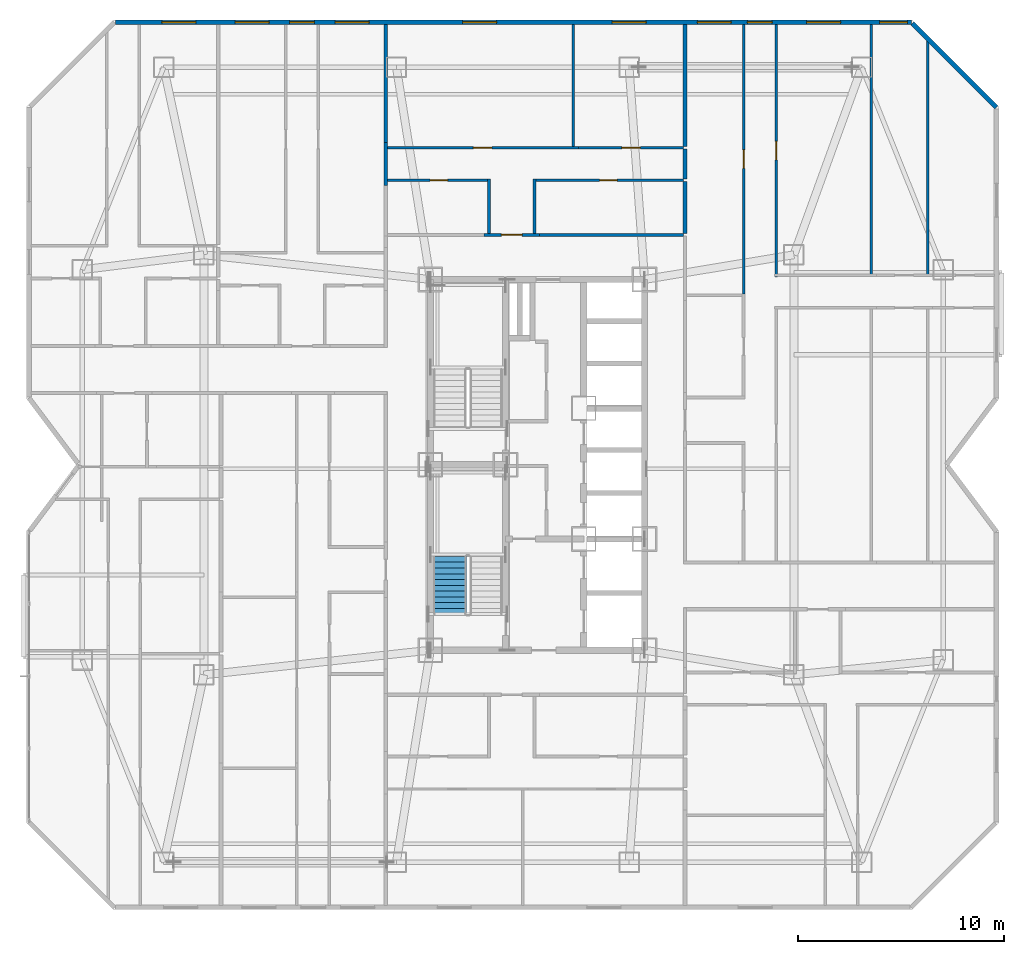
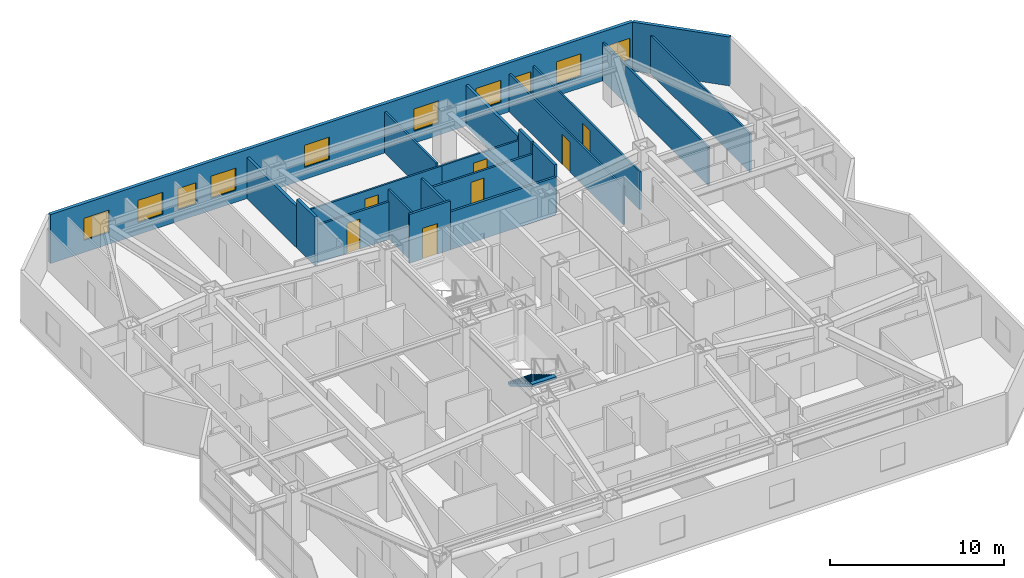
# One storey, part 16 of 18: 20 walls, 10 windows, 7 doors, 1 stair flight, 17 openings, 1 element without a shape of its own.
"""IFC4 building model written with IfcOpenShell, lengths in metres."""

from ifc_helpers import new_model, si_unit, direction, frame, frame_2d, origin, place, context, subcontext, project, spatial, polyline, rectangle, outline, extrude, material, layer, layer_set, type_object, element, fill, aggregate, save


model = new_model("IFC4")

# Units and contexts
model_context = context("Model", 3, precision=1e-05, world=origin(), true_north=direction((0.0, 1.0)))
body_context = subcontext(model_context, "Body", "Model", "MODEL_VIEW")
ifc_project = project(units=[si_unit("LENGTHUNIT", "METRE"), si_unit("AREAUNIT", "SQUARE_METRE"), si_unit("VOLUMEUNIT", "CUBIC_METRE"), si_unit("PLANEANGLEUNIT", "RADIAN"), si_unit("MASSUNIT", "GRAM", prefix="KILO")], contexts=[model_context])

# Site, building, storey
site_placement = place(None, origin())
site = spatial("IfcSite", under=ifc_project, at=site_placement, CompositionType="ELEMENT")
building_placement = place(site_placement, origin())
building = spatial("IfcBuilding", under=site, at=building_placement, Name="Khamvora Tower", CompositionType="ELEMENT")
storey_placement = place(building_placement, frame((0.0, 0.0, 109.199951171875)))
storey = spatial("IfcBuildingStorey", under=building, at=storey_placement, Name="L27", CompositionType="ELEMENT", Elevation=109.199951171875)

# Wall, opening, door
ifc_material_1 = material(Name="Fire-Rated Drywall and Steel Stud", Category="steel")
ifc_layer_1 = layer(ifc_material_1, 0.14990234375)
ifc_layer_set_1 = layer_set([ifc_layer_1], Name="Fire-Rated Drywall and Steel Stud")
wall_type_1 = type_object("IfcWallType", Name="WAL-CORR-150", PredefinedType="STANDARD", material=ifc_layer_set_1)
wall_1_placement = place(storey_placement, frame((31.60107421875, 39.1650390625, 0.0), z_axis=(0.0, 0.0, 1.0), x_axis=(1.0, 0.0, 0.0)))
wall_1 = element("IfcWall", 1, at=wall_1_placement, inside=storey, type_object=wall_type_1, Name="L27 interior partition wall 028", PredefinedType="STANDARD", context=body_context, shape_type="SweptSolid", body=[
    extrude(rectangle(XDim=2.697998046875, YDim=0.14990234375, at=frame_2d((1.34912109375, 0.0))), origin(), (0.0, 0.0, 1.0), 3.429931640625),
])
opening_1_placement = place(wall_1_placement, frame((0.84912109375, 0.0, 0.0)))
opening_1 = element("IfcOpeningElement", 2, at=opening_1_placement, cuts=wall_1, Name="Opening D-U1", PredefinedType="OPENING", context=body_context, shape_type="SweptSolid", body=[
    extrude(rectangle(XDim=1.0, YDim=2.14990234375, at=frame_2d((0.5, 1.074951171875))), frame((0.0, 0.0849609375, 0.0), z_axis=(0.0, -1.0, 0.0), x_axis=(1.0, 0.0, 0.0)), (0.0, 0.0, 1.0), 0.169921875),
])
ifc_material_2 = material(Name="Powder-Coated Steel and Hardwood Leaf", Category="steel")
door_type_1 = type_object("IfcDoorType", Name="DOR-UNIT-1000", OperationType="NOTDEFINED", PredefinedType="DOOR", material=ifc_material_2)
door_1_placement = place(opening_1_placement, origin())
door_1 = element("IfcDoor", 3, at=door_1_placement, inside=storey, type_object=door_type_1, Name="L27 interior door COR-27NAH", OperationType="SINGLE_SWING_RIGHT", OverallHeight=2.14990234375, OverallWidth=1.0, PredefinedType="DOOR", context=body_context, shape_type="SweptSolid", body=[
    extrude(rectangle(XDim=1.0, YDim=2.14990234375, at=frame_2d((0.5, 1.074951171875))), frame((0.0, 0.02490234375, 0.0), z_axis=(0.0, -1.0, 0.0), x_axis=(1.0, 0.0, 0.0)), (0.0, 0.0, 1.0), 0.050048828125),
])
fill(opening_1, door_1)

# Walls
wall_2_placement = place(storey_placement, frame((34.299072265625, 39.1650390625, 0.0), z_axis=(0.0, 0.0, 1.0), x_axis=(1.0, 0.0, 0.0)))
element("IfcWall", 4, at=wall_2_placement, inside=storey, type_object=wall_type_1, Name="L27 interior partition wall 030", PredefinedType="STANDARD", context=body_context, shape_type="SweptSolid", body=[
    extrude(rectangle(XDim=7.0009765625, YDim=0.14990234375, at=frame_2d((3.50048828125, 0.0))), origin(), (0.0, 0.0, 1.0), 2.64697265625),
])
ifc_material_3 = material(Name="Acoustic Double-Stud Fire Wall", Category="gypsum")
ifc_layer_2 = layer(ifc_material_3, 0.179931640625)
ifc_layer_set_2 = layer_set([ifc_layer_2], Name="Acoustic Double-Stud Fire Wall")
wall_type_2 = type_object("IfcWallType", Name="WAL-CORR-180", PredefinedType="STANDARD", material=ifc_layer_set_2)
wall_3_placement = place(storey_placement, frame((26.8349609375, 43.65087890625, 0.0), z_axis=(0.0, 0.0, 1.0), x_axis=(0.0, -1.0, 0.0)))
element("IfcWall", 5, at=wall_3_placement, inside=storey, type_object=wall_type_2, Name="L27 interior partition wall 097", PredefinedType="STANDARD", context=body_context, shape_type="SweptSolid", body=[
    extrude(rectangle(XDim=2.077880859375, YDim=0.179931640625, at=frame_2d((1.0390625, 0.0))), origin(), (0.0, 0.0, 1.0), 3.429931640625),
])
wall_4_placement = place(storey_placement, frame((26.8349609375, 49.387939453125, 0.0), z_axis=(0.0, 0.0, 1.0), x_axis=(0.0, -1.0, 0.0)))
element("IfcWall", 6, at=wall_4_placement, inside=storey, type_object=wall_type_2, Name="L27 interior partition wall 099", PredefinedType="STANDARD", context=body_context, shape_type="SweptSolid", body=[
    extrude(rectangle(XDim=5.737060546875, YDim=0.179931640625, at=frame_2d((2.86865234375, 0.0))), origin(), (0.0, 0.0, 1.0), 2.8759765625),
])
wall_5_placement = place(storey_placement, frame((41.364990234375, 43.3369140625, 0.0), z_axis=(0.0, 0.0, 1.0), x_axis=(0.0, -1.0, 0.0)))
element("IfcWall", 7, at=wall_5_placement, inside=storey, type_object=wall_type_2, Name="L27 interior partition wall 118", PredefinedType="STANDARD", context=body_context, shape_type="SweptSolid", body=[
    extrude(rectangle(XDim=1.449951171875, YDim=0.179931640625, at=frame_2d((0.72509765625, 0.0))), origin(), (0.0, 0.0, 1.0), 3.429931640625),
])
wall_6_placement = place(storey_placement, frame((41.364990234375, 41.757080078125, 0.0), z_axis=(0.0, 0.0, 1.0), x_axis=(0.0, -1.0, 0.0)))
element("IfcWall", 8, at=wall_6_placement, inside=storey, type_object=wall_type_2, Name="L27 interior partition wall 119", PredefinedType="STANDARD", context=body_context, shape_type="SweptSolid", body=[
    extrude(rectangle(XDim=2.527099609375, YDim=0.179931640625, at=frame_2d((1.263671875, 0.0))), origin(), (0.0, 0.0, 1.0), 3.429931640625),
])
wall_7_placement = place(storey_placement, frame((41.364990234375, 49.387939453125, 0.0), z_axis=(0.0, 0.0, 1.0), x_axis=(0.0, -1.0, 0.0)))
element("IfcWall", 9, at=wall_7_placement, inside=storey, type_object=wall_type_2, Name="L27 interior partition wall 121", PredefinedType="STANDARD", context=body_context, shape_type="SweptSolid", body=[
    extrude(rectangle(XDim=5.9208984375, YDim=0.179931640625, at=frame_2d((2.96044921875, 0.0))), origin(), (0.0, 0.0, 1.0), 2.8759765625),
])

# Wall, openings, windows
ifc_material_4 = material(Name="Precast concrete C40/50", Category="concrete")
ifc_layer_3 = layer(ifc_material_4, 0.219970703125)
ifc_layer_set_3 = layer_set([ifc_layer_3], Name="Precast concrete C40/50")
wall_type_3 = type_object("IfcWallType", Name="WAL-EXT-220", PredefinedType="STANDARD", material=ifc_layer_set_3)
wall_8_placement = place(storey_placement, frame((13.715087890625, 49.489990234375, 0.0), z_axis=(0.0, 0.0, 1.0), x_axis=(1.0, 0.0, 0.0)))
wall_8 = element("IfcWall", 10, at=wall_8_placement, inside=storey, type_object=wall_type_3, Name="L27 exterior facade wall 07.1", PredefinedType="STANDARD", context=body_context, shape_type="SweptSolid", body=[
    extrude(rectangle(XDim=38.638916015625, YDim=0.219970703125, at=frame_2d((19.3193359375, 0.0))), origin(), (0.0, 0.0, 1.0), 3.429931640625),
])
opening_2_placement = place(wall_8_placement, frame((2.242919921875, 0.0, 0.85009765625)))
opening_2 = element("IfcOpeningElement", 11, at=opening_2_placement, cuts=wall_8, Name="Opening WN-06", PredefinedType="OPENING", context=body_context, shape_type="SweptSolid", body=[
    extrude(rectangle(XDim=1.64990234375, YDim=1.550048828125, at=frame_2d((0.824951171875, 0.77490234375))), frame((0.0, 0.119873046875, 0.0), z_axis=(0.0, -1.0, 0.0), x_axis=(1.0, 0.0, 0.0)), (0.0, 0.0, 1.0), 0.239990234375),
])
opening_3_placement = place(wall_8_placement, frame((8.455078125, 0.0, 0.800048828125)))
opening_3 = element("IfcOpeningElement", 12, at=opening_3_placement, cuts=wall_8, Name="Opening WN-03", PredefinedType="OPENING", context=body_context, shape_type="SweptSolid", body=[
    extrude(rectangle(XDim=1.199951171875, YDim=1.5, at=frame_2d((0.60009765625, 0.75))), frame((0.0, 0.119873046875, 0.0), z_axis=(0.0, -1.0, 0.0), x_axis=(1.0, 0.0, 0.0)), (0.0, 0.0, 1.0), 0.239990234375),
])
opening_4_placement = place(wall_8_placement, frame((5.804931640625, 0.0, 0.85009765625)))
opening_4 = element("IfcOpeningElement", 13, at=opening_4_placement, cuts=wall_8, Name="Opening WN-06", PredefinedType="OPENING", context=body_context, shape_type="SweptSolid", body=[
    extrude(rectangle(XDim=1.64990234375, YDim=1.550048828125, at=frame_2d((0.824951171875, 0.77490234375))), frame((0.0, 0.119873046875, 0.0), z_axis=(0.0, -1.0, 0.0), x_axis=(1.0, 0.0, 0.0)), (0.0, 0.0, 1.0), 0.239990234375),
])
opening_5_placement = place(wall_8_placement, frame((10.655029296875, 0.0, 0.85009765625)))
opening_5 = element("IfcOpeningElement", 14, at=opening_5_placement, cuts=wall_8, Name="Opening WN-06", PredefinedType="OPENING", context=body_context, shape_type="SweptSolid", body=[
    extrude(rectangle(XDim=1.64990234375, YDim=1.550048828125, at=frame_2d((0.824951171875, 0.77490234375))), frame((0.0, 0.119873046875, 0.0), z_axis=(0.0, -1.0, 0.0), x_axis=(1.0, 0.0, 0.0)), (0.0, 0.0, 1.0), 0.239990234375),
])
opening_6_placement = place(wall_8_placement, frame((16.85107421875, 0.0, 0.85009765625)))
opening_6 = element("IfcOpeningElement", 15, at=opening_6_placement, cuts=wall_8, Name="Opening WN-06", PredefinedType="OPENING", context=body_context, shape_type="SweptSolid", body=[
    extrude(rectangle(XDim=1.64990234375, YDim=1.550048828125, at=frame_2d((0.824951171875, 0.77490234375))), frame((0.0, 0.119873046875, 0.0), z_axis=(0.0, -1.0, 0.0), x_axis=(1.0, 0.0, 0.0)), (0.0, 0.0, 1.0), 0.239990234375),
])
opening_7_placement = place(wall_8_placement, frame((24.115966796875, 0.0, 0.85009765625)))
opening_7 = element("IfcOpeningElement", 16, at=opening_7_placement, cuts=wall_8, Name="Opening WN-06", PredefinedType="OPENING", context=body_context, shape_type="SweptSolid", body=[
    extrude(rectangle(XDim=1.64990234375, YDim=1.550048828125, at=frame_2d((0.824951171875, 0.77490234375))), frame((0.0, 0.119873046875, 0.0), z_axis=(0.0, -1.0, 0.0), x_axis=(1.0, 0.0, 0.0)), (0.0, 0.0, 1.0), 0.239990234375),
])
opening_8_placement = place(wall_8_placement, frame((28.2451171875, 0.0, 0.85009765625)))
opening_8 = element("IfcOpeningElement", 17, at=opening_8_placement, cuts=wall_8, Name="Opening WN-06", PredefinedType="OPENING", context=body_context, shape_type="SweptSolid", body=[
    extrude(rectangle(XDim=1.64990234375, YDim=1.550048828125, at=frame_2d((0.824951171875, 0.77490234375))), frame((0.0, 0.119873046875, 0.0), z_axis=(0.0, -1.0, 0.0), x_axis=(1.0, 0.0, 0.0)), (0.0, 0.0, 1.0), 0.239990234375),
])
opening_9_placement = place(wall_8_placement, frame((30.680908203125, 0.0, 0.800048828125)))
opening_9 = element("IfcOpeningElement", 18, at=opening_9_placement, cuts=wall_8, Name="Opening WN-03", PredefinedType="OPENING", context=body_context, shape_type="SweptSolid", body=[
    extrude(rectangle(XDim=1.199951171875, YDim=1.5, at=frame_2d((0.60009765625, 0.75))), frame((0.0, 0.119873046875, 0.0), z_axis=(0.0, -1.0, 0.0), x_axis=(1.0, 0.0, 0.0)), (0.0, 0.0, 1.0), 0.239990234375),
])
opening_10_placement = place(wall_8_placement, frame((33.553955078125, 0.0, 0.85009765625)))
opening_10 = element("IfcOpeningElement", 19, at=opening_10_placement, cuts=wall_8, Name="Opening WN-06", PredefinedType="OPENING", context=body_context, shape_type="SweptSolid", body=[
    extrude(rectangle(XDim=1.64990234375, YDim=1.550048828125, at=frame_2d((0.824951171875, 0.77490234375))), frame((0.0, 0.119873046875, 0.0), z_axis=(0.0, -1.0, 0.0), x_axis=(1.0, 0.0, 0.0)), (0.0, 0.0, 1.0), 0.239990234375),
])
opening_11_placement = place(wall_8_placement, frame((37.095947265625, 0.0, 0.85009765625)))
opening_11 = element("IfcOpeningElement", 20, at=opening_11_placement, cuts=wall_8, Name="Opening WN-07", PredefinedType="OPENING", context=body_context, shape_type="SweptSolid", body=[
    extrude(rectangle(XDim=1.35009765625, YDim=1.5, at=frame_2d((0.675048828125, 0.75))), frame((0.0, 0.119873046875, 0.0), z_axis=(0.0, -1.0, 0.0), x_axis=(1.0, 0.0, 0.0)), (0.0, 0.0, 1.0), 0.239990234375),
])
ifc_material_5 = material(Name="Low-E Laminated Double Glazing", Category="glass")
window_type_1 = type_object("IfcWindowType", Name="WIN-VIS-1200x1500", PartitioningType="SINGLE_PANEL", PredefinedType="WINDOW", material=ifc_material_5)
window_1_placement = place(opening_3_placement, origin())
window_1 = element("IfcWindow", 21, at=window_1_placement, inside=storey, type_object=window_type_1, Name="L27 vision window 07.1.02", OverallHeight=1.5, OverallWidth=1.199951171875, PartitioningType="SINGLE_PANEL", PredefinedType="WINDOW", context=body_context, shape_type="SweptSolid", body=[
    extrude(rectangle(XDim=1.199951171875, YDim=1.5, at=frame_2d((0.60009765625, 0.75))), frame((0.0, 0.030029296875, 0.0), z_axis=(0.0, -1.0, 0.0), x_axis=(1.0, 0.0, 0.0)), (0.0, 0.0, 1.0), 0.06005859375),
])
fill(opening_3, window_1)
window_2_placement = place(opening_9_placement, origin())
window_2 = element("IfcWindow", 22, at=window_2_placement, inside=storey, type_object=window_type_1, Name="L27 vision window 07.1.08", OverallHeight=1.5, OverallWidth=1.199951171875, PartitioningType="SINGLE_PANEL", PredefinedType="WINDOW", context=body_context, shape_type="SweptSolid", body=[
    extrude(rectangle(XDim=1.199951171875, YDim=1.5, at=frame_2d((0.60009765625, 0.75))), frame((0.0, 0.030029296875, 0.0), z_axis=(0.0, -1.0, 0.0), x_axis=(1.0, 0.0, 0.0)), (0.0, 0.0, 1.0), 0.06005859375),
])
fill(opening_9, window_2)
window_type_2 = type_object("IfcWindowType", Name="WIN-VIS-1350x1500", PartitioningType="SINGLE_PANEL", PredefinedType="WINDOW", material=ifc_material_5)
window_3_placement = place(opening_11_placement, origin())
window_3 = element("IfcWindow", 23, at=window_3_placement, inside=storey, type_object=window_type_2, Name="L27 vision window 07.1.10", OverallHeight=1.5, OverallWidth=1.35009765625, PartitioningType="SINGLE_PANEL", PredefinedType="WINDOW", context=body_context, shape_type="SweptSolid", body=[
    extrude(rectangle(XDim=1.35009765625, YDim=1.5, at=frame_2d((0.675048828125, 0.75))), frame((0.0, 0.030029296875, 0.0), z_axis=(0.0, -1.0, 0.0), x_axis=(1.0, 0.0, 0.0)), (0.0, 0.0, 1.0), 0.06005859375),
])
fill(opening_11, window_3)
window_type_3 = type_object("IfcWindowType", Name="WIN-VIS-1650x1550", PartitioningType="SINGLE_PANEL", PredefinedType="WINDOW", material=ifc_material_5)
window_4_placement = place(opening_2_placement, origin())
window_4 = element("IfcWindow", 24, at=window_4_placement, inside=storey, type_object=window_type_3, Name="L27 vision window 07.1.01", OverallHeight=1.550048828125, OverallWidth=1.64990234375, PartitioningType="SINGLE_PANEL", PredefinedType="WINDOW", context=body_context, shape_type="SweptSolid", body=[
    extrude(rectangle(XDim=1.64990234375, YDim=1.550048828125, at=frame_2d((0.824951171875, 0.77490234375))), frame((0.0, 0.030029296875, 0.0), z_axis=(0.0, -1.0, 0.0), x_axis=(1.0, 0.0, 0.0)), (0.0, 0.0, 1.0), 0.06005859375),
])
fill(opening_2, window_4)
window_5_placement = place(opening_4_placement, origin())
window_5 = element("IfcWindow", 25, at=window_5_placement, inside=storey, type_object=window_type_3, Name="L27 vision window 07.1.03", OverallHeight=1.550048828125, OverallWidth=1.64990234375, PartitioningType="SINGLE_PANEL", PredefinedType="WINDOW", context=body_context, shape_type="SweptSolid", body=[
    extrude(rectangle(XDim=1.64990234375, YDim=1.550048828125, at=frame_2d((0.824951171875, 0.77490234375))), frame((0.0, 0.030029296875, 0.0), z_axis=(0.0, -1.0, 0.0), x_axis=(1.0, 0.0, 0.0)), (0.0, 0.0, 1.0), 0.06005859375),
])
fill(opening_4, window_5)
window_6_placement = place(opening_5_placement, origin())
window_6 = element("IfcWindow", 26, at=window_6_placement, inside=storey, type_object=window_type_3, Name="L27 vision window 07.1.04", OverallHeight=1.550048828125, OverallWidth=1.64990234375, PartitioningType="SINGLE_PANEL", PredefinedType="WINDOW", context=body_context, shape_type="SweptSolid", body=[
    extrude(rectangle(XDim=1.64990234375, YDim=1.550048828125, at=frame_2d((0.824951171875, 0.77490234375))), frame((0.0, 0.030029296875, 0.0), z_axis=(0.0, -1.0, 0.0), x_axis=(1.0, 0.0, 0.0)), (0.0, 0.0, 1.0), 0.06005859375),
])
fill(opening_5, window_6)
window_7_placement = place(opening_6_placement, origin())
window_7 = element("IfcWindow", 27, at=window_7_placement, inside=storey, type_object=window_type_3, Name="L27 vision window 07.1.05", OverallHeight=1.550048828125, OverallWidth=1.64990234375, PartitioningType="SINGLE_PANEL", PredefinedType="WINDOW", context=body_context, shape_type="SweptSolid", body=[
    extrude(rectangle(XDim=1.64990234375, YDim=1.550048828125, at=frame_2d((0.824951171875, 0.77490234375))), frame((0.0, 0.030029296875, 0.0), z_axis=(0.0, -1.0, 0.0), x_axis=(1.0, 0.0, 0.0)), (0.0, 0.0, 1.0), 0.06005859375),
])
fill(opening_6, window_7)
window_8_placement = place(opening_7_placement, origin())
window_8 = element("IfcWindow", 28, at=window_8_placement, inside=storey, type_object=window_type_3, Name="L27 vision window 07.1.06", OverallHeight=1.550048828125, OverallWidth=1.64990234375, PartitioningType="SINGLE_PANEL", PredefinedType="WINDOW", context=body_context, shape_type="SweptSolid", body=[
    extrude(rectangle(XDim=1.64990234375, YDim=1.550048828125, at=frame_2d((0.824951171875, 0.77490234375))), frame((0.0, 0.030029296875, 0.0), z_axis=(0.0, -1.0, 0.0), x_axis=(1.0, 0.0, 0.0)), (0.0, 0.0, 1.0), 0.06005859375),
])
fill(opening_7, window_8)
window_9_placement = place(opening_8_placement, origin())
window_9 = element("IfcWindow", 29, at=window_9_placement, inside=storey, type_object=window_type_3, Name="L27 vision window 07.1.07", OverallHeight=1.550048828125, OverallWidth=1.64990234375, PartitioningType="SINGLE_PANEL", PredefinedType="WINDOW", context=body_context, shape_type="SweptSolid", body=[
    extrude(rectangle(XDim=1.64990234375, YDim=1.550048828125, at=frame_2d((0.824951171875, 0.77490234375))), frame((0.0, 0.030029296875, 0.0), z_axis=(0.0, -1.0, 0.0), x_axis=(1.0, 0.0, 0.0)), (0.0, 0.0, 1.0), 0.06005859375),
])
fill(opening_8, window_9)
window_10_placement = place(opening_10_placement, origin())
window_10 = element("IfcWindow", 30, at=window_10_placement, inside=storey, type_object=window_type_3, Name="L27 vision window 07.1.09", OverallHeight=1.550048828125, OverallWidth=1.64990234375, PartitioningType="SINGLE_PANEL", PredefinedType="WINDOW", context=body_context, shape_type="SweptSolid", body=[
    extrude(rectangle(XDim=1.64990234375, YDim=1.550048828125, at=frame_2d((0.824951171875, 0.77490234375))), frame((0.0, 0.030029296875, 0.0), z_axis=(0.0, -1.0, 0.0), x_axis=(1.0, 0.0, 0.0)), (0.0, 0.0, 1.0), 0.06005859375),
])
fill(opening_10, window_10)

# Wall
wall_9_placement = place(storey_placement, frame((52.402099609375, 49.44189453125, 0.0), z_axis=(0.0, 0.0, 1.0), x_axis=(0.707106781187, -0.707106781187, 0.0)))
element("IfcWall", 31, at=wall_9_placement, inside=storey, type_object=wall_type_3, Name="L27 exterior facade wall 08.1", PredefinedType="STANDARD", context=body_context, shape_type="SweptSolid", body=[
    extrude(rectangle(XDim=5.78125, YDim=0.219970703125, at=frame_2d((2.890625, 0.0))), origin(), (0.0, 0.0, 1.0), 3.429931640625),
])

# Wall, opening, door
ifc_material_6 = material(Name="Gypsum Plasterboard Partition", Category="gypsum")
ifc_layer_4 = layer(ifc_material_6, 0.1201171875)
ifc_layer_set_4 = layer_set([ifc_layer_4], Name="Gypsum Plasterboard Partition")
wall_type_4 = type_object("IfcWallType", Name="WAL-PART-120", PredefinedType="PARTITIONING", material=ifc_layer_set_4)
wall_10_placement = place(storey_placement, frame((26.9169921875, 43.402099609375, 0.0), z_axis=(0.0, 0.0, 1.0), x_axis=(1.0, 0.0, 0.0)))
wall_10 = element("IfcWall", 32, at=wall_10_placement, inside=storey, type_object=wall_type_4, Name="L27 interior partition wall 116", PredefinedType="PARTITIONING", context=body_context, shape_type="SweptSolid", body=[
    extrude(rectangle(XDim=9.279052734375, YDim=0.1201171875, at=frame_2d((4.6396484375, 0.0))), origin(), (0.0, 0.0, 1.0), 2.64697265625),
])
opening_12_placement = place(wall_10_placement, frame((4.16796875, 0.0, 0.0)))
opening_12 = element("IfcOpeningElement", 33, at=opening_12_placement, cuts=wall_10, Name="Opening D-RM1", PredefinedType="OPENING", context=body_context, shape_type="SweptSolid", body=[
    extrude(rectangle(XDim=0.89990234375, YDim=2.10009765625, at=frame_2d((0.449951171875, 1.050048828125))), frame((0.0, 0.070068359375, 0.0), z_axis=(0.0, -1.0, 0.0), x_axis=(1.0, 0.0, 0.0)), (0.0, 0.0, 1.0), 0.14013671875),
])
door_type_2 = type_object("IfcDoorType", Name="DOR-ROOM-900", OperationType="NOTDEFINED", PredefinedType="DOOR", material=ifc_material_2)
door_2_placement = place(opening_12_placement, origin())
door_2 = element("IfcDoor", 34, at=door_2_placement, inside=storey, type_object=door_type_2, Name="L27 interior door 27NAH-27NAR1", OperationType="SINGLE_SWING_LEFT", OverallHeight=2.10009765625, OverallWidth=0.89990234375, PredefinedType="DOOR", context=body_context, shape_type="SweptSolid", body=[
    extrude(rectangle(XDim=0.89990234375, YDim=2.10009765625, at=frame_2d((0.449951171875, 1.050048828125))), frame((0.0, 0.02490234375, 0.0), z_axis=(0.0, -1.0, 0.0), x_axis=(1.0, 0.0, 0.0)), (0.0, 0.0, 1.0), 0.050048828125),
])
fill(opening_12, door_2)

wall_11_placement = place(storey_placement, frame((36.196044921875, 43.402099609375, 0.0), z_axis=(0.0, 0.0, 1.0), x_axis=(1.0, 0.0, 0.0)))
wall_11 = element("IfcWall", 35, at=wall_11_placement, inside=storey, type_object=wall_type_4, Name="L27 interior partition wall 117", PredefinedType="PARTITIONING", context=body_context, shape_type="SweptSolid", body=[
    extrude(rectangle(XDim=5.10400390625, YDim=0.1201171875, at=frame_2d((2.552001953125, 0.0))), origin(), (0.0, 0.0, 1.0), 2.64697265625),
])
opening_13_placement = place(wall_11_placement, frame((2.10205078125, 0.0, 0.0)))
opening_13 = element("IfcOpeningElement", 36, at=opening_13_placement, cuts=wall_11, Name="Opening D-RM1", PredefinedType="OPENING", context=body_context, shape_type="SweptSolid", body=[
    extrude(rectangle(XDim=0.89990234375, YDim=2.10009765625, at=frame_2d((0.449951171875, 1.050048828125))), frame((0.0, 0.070068359375, 0.0), z_axis=(0.0, -1.0, 0.0), x_axis=(1.0, 0.0, 0.0)), (0.0, 0.0, 1.0), 0.14013671875),
])
door_3_placement = place(opening_13_placement, origin())
door_3 = element("IfcDoor", 37, at=door_3_placement, inside=storey, type_object=door_type_2, Name="L27 interior door 27NAH-27NAR2", OperationType="SINGLE_SWING_RIGHT", OverallHeight=2.10009765625, OverallWidth=0.89990234375, PredefinedType="DOOR", context=body_context, shape_type="SweptSolid", body=[
    extrude(rectangle(XDim=0.89990234375, YDim=2.10009765625, at=frame_2d((0.449951171875, 1.050048828125))), frame((0.0, 0.02490234375, 0.0), z_axis=(0.0, -1.0, 0.0), x_axis=(1.0, 0.0, 0.0)), (0.0, 0.0, 1.0), 0.050048828125),
])
fill(opening_13, door_3)

# Wall
wall_12_placement = place(storey_placement, frame((35.947021484375, 49.387939453125, 0.0), z_axis=(0.0, 0.0, 1.0), x_axis=(0.0, -1.0, 0.0)))
element("IfcWall", 38, at=wall_12_placement, inside=storey, type_object=wall_type_4, Name="L27 interior partition wall 120", PredefinedType="PARTITIONING", context=body_context, shape_type="SweptSolid", body=[
    extrude(rectangle(XDim=5.931884765625, YDim=0.1201171875, at=frame_2d((2.9658203125, 0.0))), origin(), (0.0, 0.0, 1.0), 2.8759765625),
])

# Wall, opening, door
wall_13_placement = place(storey_placement, frame((44.2060546875, 49.387939453125, 0.0), z_axis=(0.0, 0.0, 1.0), x_axis=(0.0, -1.0, 0.0)))
wall_13 = element("IfcWall", 39, at=wall_13_placement, inside=storey, type_object=wall_type_4, Name="L27 interior partition wall 132", PredefinedType="PARTITIONING", context=body_context, shape_type="SweptSolid", body=[
    extrude(rectangle(XDim=13.092041015625, YDim=0.1201171875, at=frame_2d((6.5458984375, 0.0))), origin(), (0.0, 0.0, 1.0), 2.64697265625),
])
opening_14_placement = place(wall_13_placement, frame((6.095947265625, 0.0, 0.0)))
opening_14 = element("IfcOpeningElement", 40, at=opening_14_placement, cuts=wall_13, Name="Opening D-RM1", PredefinedType="OPENING", context=body_context, shape_type="SweptSolid", body=[
    extrude(rectangle(XDim=0.89990234375, YDim=2.10009765625, at=frame_2d((0.449951171875, 1.050048828125))), frame((0.0, 0.070068359375, 0.0), z_axis=(0.0, -1.0, 0.0), x_axis=(1.0, 0.0, 0.0)), (0.0, 0.0, 1.0), 0.14013671875),
])
door_4_placement = place(opening_14_placement, origin())
door_4 = element("IfcDoor", 41, at=door_4_placement, inside=storey, type_object=door_type_2, Name="L27 interior door 27EBW2-27EBH", OperationType="SINGLE_SWING_RIGHT", OverallHeight=2.10009765625, OverallWidth=0.89990234375, PredefinedType="DOOR", context=body_context, shape_type="SweptSolid", body=[
    extrude(rectangle(XDim=0.89990234375, YDim=2.10009765625, at=frame_2d((0.449951171875, 1.050048828125))), frame((0.0, 0.02490234375, 0.0), z_axis=(0.0, -1.0, 0.0), x_axis=(1.0, 0.0, 0.0)), (0.0, 0.0, 1.0), 0.050048828125),
])
fill(opening_14, door_4)

wall_14_placement = place(storey_placement, frame((45.785888671875, 49.387939453125, 0.0), z_axis=(0.0, 0.0, 1.0), x_axis=(0.0, -1.0, 0.0)))
wall_14 = element("IfcWall", 42, at=wall_14_placement, inside=storey, type_object=wall_type_4, Name="L27 interior partition wall 142", PredefinedType="PARTITIONING", context=body_context, shape_type="SweptSolid", body=[
    extrude(rectangle(XDim=12.258056640625, YDim=0.1201171875, at=frame_2d((6.12890625, 0.0))), origin(), (0.0, 0.0, 1.0), 2.64697265625),
])
opening_15_placement = place(wall_14_placement, frame((5.678955078125, 0.0, 0.0)))
opening_15 = element("IfcOpeningElement", 43, at=opening_15_placement, cuts=wall_14, Name="Opening D-RM1", PredefinedType="OPENING", context=body_context, shape_type="SweptSolid", body=[
    extrude(rectangle(XDim=0.89990234375, YDim=2.10009765625, at=frame_2d((0.449951171875, 1.050048828125))), frame((0.0, 0.070068359375, 0.0), z_axis=(0.0, -1.0, 0.0), x_axis=(1.0, 0.0, 0.0)), (0.0, 0.0, 1.0), 0.14013671875),
])
door_5_placement = place(opening_15_placement, origin())
door_5 = element("IfcDoor", 44, at=door_5_placement, inside=storey, type_object=door_type_2, Name="L27 interior door 27EBH-27EBR4", OperationType="SINGLE_SWING_RIGHT", OverallHeight=2.10009765625, OverallWidth=0.89990234375, PredefinedType="DOOR", context=body_context, shape_type="SweptSolid", body=[
    extrude(rectangle(XDim=0.89990234375, YDim=2.10009765625, at=frame_2d((0.449951171875, 1.050048828125))), frame((0.0, 0.02490234375, 0.0), z_axis=(0.0, -1.0, 0.0), x_axis=(1.0, 0.0, 0.0)), (0.0, 0.0, 1.0), 0.050048828125),
])
fill(opening_15, door_5)

# Walls
wall_15_placement = place(storey_placement, frame((50.403076171875, 49.387939453125, 0.0), z_axis=(0.0, 0.0, 1.0), x_axis=(0.0, -1.0, 0.0)))
element("IfcWall", 45, at=wall_15_placement, inside=storey, type_object=wall_type_4, Name="L27 interior partition wall 148", PredefinedType="PARTITIONING", context=body_context, shape_type="SweptSolid", body=[
    extrude(rectangle(XDim=12.138916015625, YDim=0.1201171875, at=frame_2d((6.0693359375, 0.0))), origin(), (0.0, 0.0, 1.0), 2.68701171875),
])
wall_16_placement = place(storey_placement, frame((53.14501953125, 48.7099609375, 0.0), z_axis=(0.0, 0.0, 1.0), x_axis=(0.0, -1.0, 0.0)))
element("IfcWall", 46, at=wall_16_placement, inside=storey, type_object=wall_type_4, Name="L27 interior partition wall 149", PredefinedType="PARTITIONING", context=body_context, shape_type="SweptSolid", body=[
    extrude(rectangle(XDim=11.4609375, YDim=0.1201171875, at=frame_2d((5.73046875, 0.0))), origin(), (0.0, 0.0, 1.0), 2.68701171875),
])
ifc_material_7 = material(Name="Moisture-Resistant Plasterboard Partition", Category="gypsum")
ifc_layer_5 = layer(ifc_material_7, 0.135009765625)
ifc_layer_set_5 = layer_set([ifc_layer_5], Name="Moisture-Resistant Plasterboard Partition")
wall_type_5 = type_object("IfcWallType", Name="WAL-WET-135", PredefinedType="PARTITIONING", material=ifc_layer_set_5)
wall_17_placement = place(storey_placement, frame((31.85009765625, 39.23193359375, 0.0), z_axis=(0.0, 0.0, 1.0), x_axis=(0.0, 1.0, 0.0)))
element("IfcWall", 47, at=wall_17_placement, inside=storey, type_object=wall_type_5, Name="L27 interior partition wall 112", PredefinedType="PARTITIONING", context=body_context, shape_type="SweptSolid", body=[
    extrude(rectangle(XDim=2.655029296875, YDim=0.135009765625, at=frame_2d((1.32763671875, 0.0))), origin(), (0.0, 0.0, 1.0), 3.429931640625),
])

# Wall, opening, door
wall_18_placement = place(storey_placement, frame((31.9150390625, 41.822021484375, 0.0), z_axis=(0.0, 0.0, 1.0), x_axis=(-1.0, 0.0, 0.0)))
wall_18 = element("IfcWall", 48, at=wall_18_placement, inside=storey, type_object=wall_type_5, Name="L27 interior partition wall 113", PredefinedType="PARTITIONING", context=body_context, shape_type="SweptSolid", body=[
    extrude(rectangle(XDim=4.998046875, YDim=0.135009765625, at=frame_2d((2.4990234375, 0.0))), origin(), (0.0, 0.0, 1.0), 2.64697265625),
])
opening_16_placement = place(wall_18_placement, frame((2.073974609375, 0.0, 0.0)))
opening_16 = element("IfcOpeningElement", 49, at=opening_16_placement, cuts=wall_18, Name="Opening D-WC1", PredefinedType="OPENING", context=body_context, shape_type="SweptSolid", body=[
    extrude(rectangle(XDim=0.85009765625, YDim=2.10009765625, at=frame_2d((0.425048828125, 1.050048828125))), frame((0.0, 0.077392578125, 0.0), z_axis=(0.0, -1.0, 0.0), x_axis=(1.0, 0.0, 0.0)), (0.0, 0.0, 1.0), 0.155029296875),
])
door_type_3 = type_object("IfcDoorType", Name="DOR-WET-850", OperationType="NOTDEFINED", PredefinedType="DOOR", material=ifc_material_2)
door_6_placement = place(opening_16_placement, origin())
door_6 = element("IfcDoor", 50, at=door_6_placement, inside=storey, type_object=door_type_3, Name="L27 interior door 27NAH-27NAB", OperationType="SINGLE_SWING_LEFT", OverallHeight=2.10009765625, OverallWidth=0.85009765625, PredefinedType="DOOR", context=body_context, shape_type="SweptSolid", body=[
    extrude(rectangle(XDim=0.85009765625, YDim=2.10009765625, at=frame_2d((0.425048828125, 1.050048828125))), frame((0.0, 0.02490234375, 0.0), z_axis=(0.0, -1.0, 0.0), x_axis=(1.0, 0.0, 0.0)), (0.0, 0.0, 1.0), 0.050048828125),
])
fill(opening_16, door_6)

wall_19_placement = place(storey_placement, frame((41.300048828125, 41.822021484375, 0.0), z_axis=(0.0, 0.0, 1.0), x_axis=(-1.0, 0.0, 0.0)))
wall_19 = element("IfcWall", 51, at=wall_19_placement, inside=storey, type_object=wall_type_5, Name="L27 interior partition wall 114", PredefinedType="PARTITIONING", context=body_context, shape_type="SweptSolid", body=[
    extrude(rectangle(XDim=7.31494140625, YDim=0.135009765625, at=frame_2d((3.657470703125, 0.0))), origin(), (0.0, 0.0, 1.0), 2.64697265625),
])
opening_17_placement = place(wall_19_placement, frame((3.23291015625, 0.0, 0.0)))
opening_17 = element("IfcOpeningElement", 52, at=opening_17_placement, cuts=wall_19, Name="Opening D-RM2", PredefinedType="OPENING", context=body_context, shape_type="SweptSolid", body=[
    extrude(rectangle(XDim=0.85009765625, YDim=2.10009765625, at=frame_2d((0.425048828125, 1.050048828125))), frame((0.0, 0.077392578125, 0.0), z_axis=(0.0, -1.0, 0.0), x_axis=(1.0, 0.0, 0.0)), (0.0, 0.0, 1.0), 0.155029296875),
])
door_type_4 = type_object("IfcDoorType", Name="DOR-ROOM-850", OperationType="NOTDEFINED", PredefinedType="DOOR", material=ifc_material_2)
door_7_placement = place(opening_17_placement, origin())
door_7 = element("IfcDoor", 53, at=door_7_placement, inside=storey, type_object=door_type_4, Name="L27 interior door 27NAH-27NAK", OperationType="SINGLE_SWING_RIGHT", OverallHeight=2.10009765625, OverallWidth=0.85009765625, PredefinedType="DOOR", context=body_context, shape_type="SweptSolid", body=[
    extrude(rectangle(XDim=0.85009765625, YDim=2.10009765625, at=frame_2d((0.425048828125, 1.050048828125))), frame((0.0, 0.02490234375, 0.0), z_axis=(0.0, -1.0, 0.0), x_axis=(1.0, 0.0, 0.0)), (0.0, 0.0, 1.0), 0.050048828125),
])
fill(opening_17, door_7)

# Wall
wall_20_placement = place(storey_placement, frame((34.050048828125, 41.886962890625, 0.0), z_axis=(0.0, 0.0, 1.0), x_axis=(0.0, -1.0, 0.0)))
element("IfcWall", 54, at=wall_20_placement, inside=storey, type_object=wall_type_5, Name="L27 interior partition wall 115", PredefinedType="PARTITIONING", context=body_context, shape_type="SweptSolid", body=[
    extrude(rectangle(XDim=2.655029296875, YDim=0.135009765625, at=frame_2d((1.32763671875, 0.0))), origin(), (0.0, 0.0, 1.0), 3.429931640625),
])

# Stair, stair flight
ifc_material_8 = material(Name="Concrete C40/50", Category="concrete")
stair_type = type_object("IfcStairType", Name="STR-ST-01", PredefinedType="HALF_TURN_STAIR", material=ifc_material_8)
stair_placement = place(storey_placement, origin())
stair = element("IfcStair", 55, at=stair_placement, inside=storey, type_object=stair_type, Name="L27 South Tower Exit Stair ST-01", PredefinedType="HALF_TURN_STAIR")
stair_flight_type = type_object("IfcStairFlightType", Name="STF-ST-01", PredefinedType="STRAIGHT", material=ifc_material_8)
stair_flight_placement = place(storey_placement, frame((29.949951171875, 23.550048828125, 1.824951171875), z_axis=(0.0, 0.0, 1.0), x_axis=(0.0, -1.0, 0.0)))
stair_flight = element("IfcStairFlight", 56, at=stair_flight_placement, type_object=stair_flight_type, Name="ST-01 flight 2", NumberOfRisers=11, NumberOfTreads=10, PredefinedType="STRAIGHT", RiserHeight=0.165909091, TreadLength=0.28, context=body_context, shape_type="SweptSolid", body=[
    extrude(outline(polyline([(0.0, 0.0), (0.0, 0.166015625), (0.280029296875, 0.166015625), (0.280029296875, 0.331787109375), (0.56005859375, 0.331787109375), (0.56005859375, 0.497802734375), (0.840087890625, 0.497802734375), (0.840087890625, 0.66357421875), (1.1201171875, 0.66357421875), (1.1201171875, 0.82958984375), (1.39990234375, 0.82958984375), (1.39990234375, 0.995361328125), (1.679931640625, 0.995361328125), (1.679931640625, 1.161376953125), (1.9599609375, 1.161376953125), (1.9599609375, 1.327392578125), (2.239990234375, 1.327392578125), (2.239990234375, 1.4931640625), (2.52001953125, 1.4931640625), (2.52001953125, 1.6591796875), (2.800048828125, 1.6591796875), (2.800048828125, 1.824951171875), (2.800048828125, 1.48486328125), (0.2939453125, 0.0), (0.0, 0.0)])), frame((0.0, 0.800048828125, 0.0), z_axis=(0.0, -1.0, 0.0), x_axis=(1.0, 0.0, 0.0)), (0.0, 0.0, 1.0), 1.60009765625),
])
aggregate(stair, [stair_flight])

save(model, "model.ifc")
